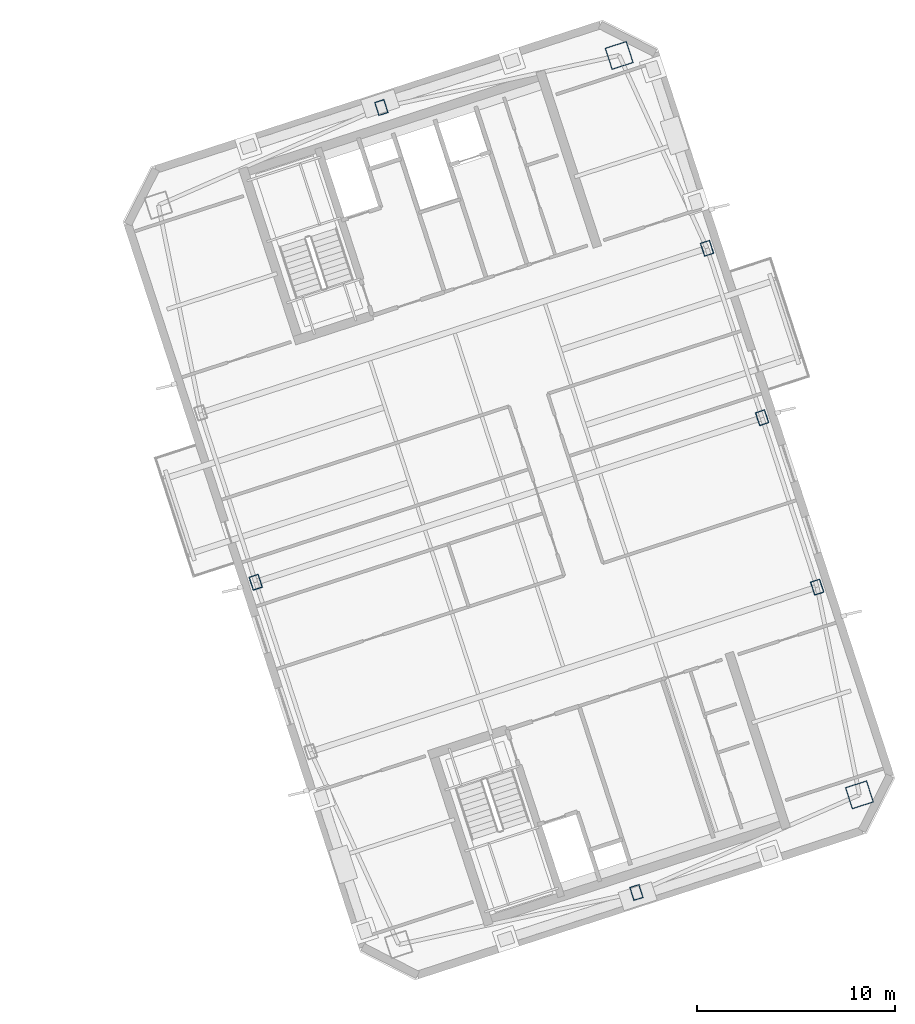
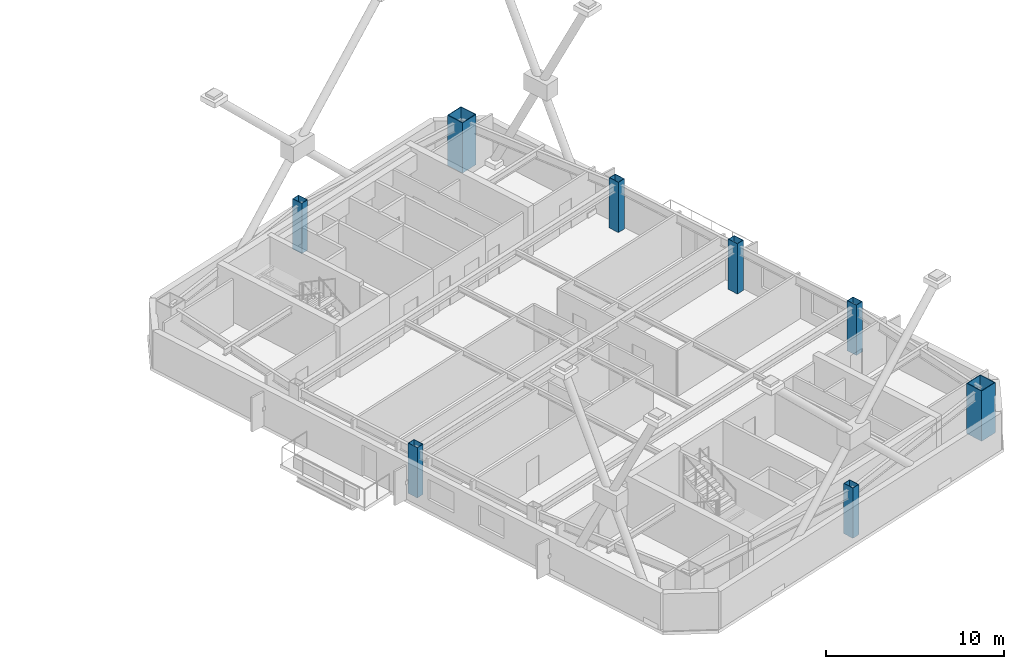
# One storey, part 2 of 18: 8 columns.
"""IFC4 building model written with IfcOpenShell, lengths in metres."""

from ifc_helpers import new_model, si_unit, direction, frame, origin, origin_2d, place, context, subcontext, project, spatial, hollow_rectangle, extrude, material, material_profile, profile_set, type_object, element, save


model = new_model("IFC4")

# Units and contexts
model_context = context("Model", 3, precision=1e-05, world=origin(), true_north=direction((0.0, 1.0)))
body_context = subcontext(model_context, "Body", "Model", "MODEL_VIEW")
ifc_project = project(units=[si_unit("LENGTHUNIT", "METRE"), si_unit("AREAUNIT", "SQUARE_METRE"), si_unit("VOLUMEUNIT", "CUBIC_METRE"), si_unit("PLANEANGLEUNIT", "RADIAN"), si_unit("MASSUNIT", "GRAM", prefix="KILO")], contexts=[model_context])

# Site, building, storey
site_placement = place(None, origin())
site = spatial("IfcSite", under=ifc_project, at=site_placement, CompositionType="ELEMENT")
building_placement = place(site_placement, origin())
building = spatial("IfcBuilding", under=site, at=building_placement, Name="Qiaolan Cultural Towers", CompositionType="ELEMENT")
storey_placement = place(building_placement, frame((0.0, 0.0, 226.550048828125)))
storey = spatial("IfcBuildingStorey", under=building, at=storey_placement, Name="L61", CompositionType="ELEMENT", Elevation=226.550048828125)

# Columns
ifc_material_1 = material(Name="Steel Q390GJB", Category="steel")
ifc_material_profile_1 = material_profile(ifc_material_1, hollow_rectangle(XDim=1.14990234375, YDim=1.14990234375, WallThickness=0.0400390625, at=origin_2d()), Name="BOX1150x1150x40")
ifc_profile_set_1 = profile_set([ifc_material_profile_1], Name="Steel Q390GJB")
column_type_1 = type_object("IfcColumnType", Name="COL-BOX1150x1150x40", PredefinedType="COLUMN", material=ifc_profile_set_1)
for number, where, z_axis, x_axis, name in (
    (1, (107.7099609375, 19.103515625, 0.0), (0.0, 0.0, 1.0), (0.951056516295, 0.309016994375, 0.0), "L61 T2 Perimeter Column MC-SE"),
    (2, (95.57177734375, 56.461181640625, 0.0), (0.0, 0.0, 1.0), (0.951056516295, 0.309016994375, 0.0), "L61 T2 Perimeter Column MC-NE"),
):
    element("IfcColumn", number, at=place(storey_placement, frame(where, z_axis=z_axis, x_axis=x_axis)), inside=storey, type_object=column_type_1, Name=name, PredefinedType="COLUMN", context=body_context, shape_type="SweptSolid", body=[
        extrude(hollow_rectangle(XDim=1.14990234375, YDim=1.14990234375, WallThickness=0.0400390625, at=origin_2d()), origin(), (0.0, 0.0, 1.0), 3.450927734375),
    ])
ifc_material_2 = material(Name="Steel Q355B", Category="steel")
ifc_material_profile_2 = material_profile(ifc_material_2, hollow_rectangle(XDim=0.5, YDim=0.699951171875, WallThickness=0.02490234375, at=origin_2d()), Name="BOX700x500x25")
ifc_profile_set_2 = profile_set([ifc_material_profile_2], Name="Steel Q355B")
column_type_2 = type_object("IfcColumnType", Name="COL-BOX700x500x25", PredefinedType="COLUMN", material=ifc_profile_set_2)
for number, where, z_axis, x_axis, name in (
    (3, (77.208251953125, 29.84375, 0.0), (0.0, 0.0, 1.0), (0.951056516295, 0.309016994375, 0.0), "L61 T2 Perimeter Column PC-W2"),
    (4, (105.57275390625, 29.5966796875, 0.0), (0.0, 0.0, 1.0), (0.951056516295, 0.309016994375, 0.0), "L61 T2 Perimeter Column PC-E1"),
    (5, (102.791748046875, 38.15625, 0.0), (0.0, 0.0, 1.0), (0.951056516295, 0.309016994375, 0.0), "L61 T2 Perimeter Column PC-E2"),
    (6, (100.010498046875, 46.7158203125, 0.0), (0.0, 0.0, 1.0), (0.951056516295, 0.309016994375, 0.0), "L61 T2 Perimeter Column PC-E3"),
    (7, (96.443115234375, 14.17041015625, 0.0), (0.0, 0.0, 1.0), (0.951056516295, 0.309016994375, 0.0), "L61 T2 Perimeter Column PC-S0"),
    (8, (83.556884765625, 53.82958984375, 0.0), (0.0, 0.0, 1.0), (0.951056516295, 0.309016994375, 0.0), "L61 T2 Perimeter Column PC-N0"),
):
    element("IfcColumn", number, at=place(storey_placement, frame(where, z_axis=z_axis, x_axis=x_axis)), inside=storey, type_object=column_type_2, Name=name, PredefinedType="COLUMN", context=body_context, shape_type="SweptSolid", body=[
        extrude(hollow_rectangle(XDim=0.5, YDim=0.699951171875, WallThickness=0.02490234375, at=origin_2d()), origin(), (0.0, 0.0, 1.0), 3.450927734375),
    ])

save(model, "model.ifc")
